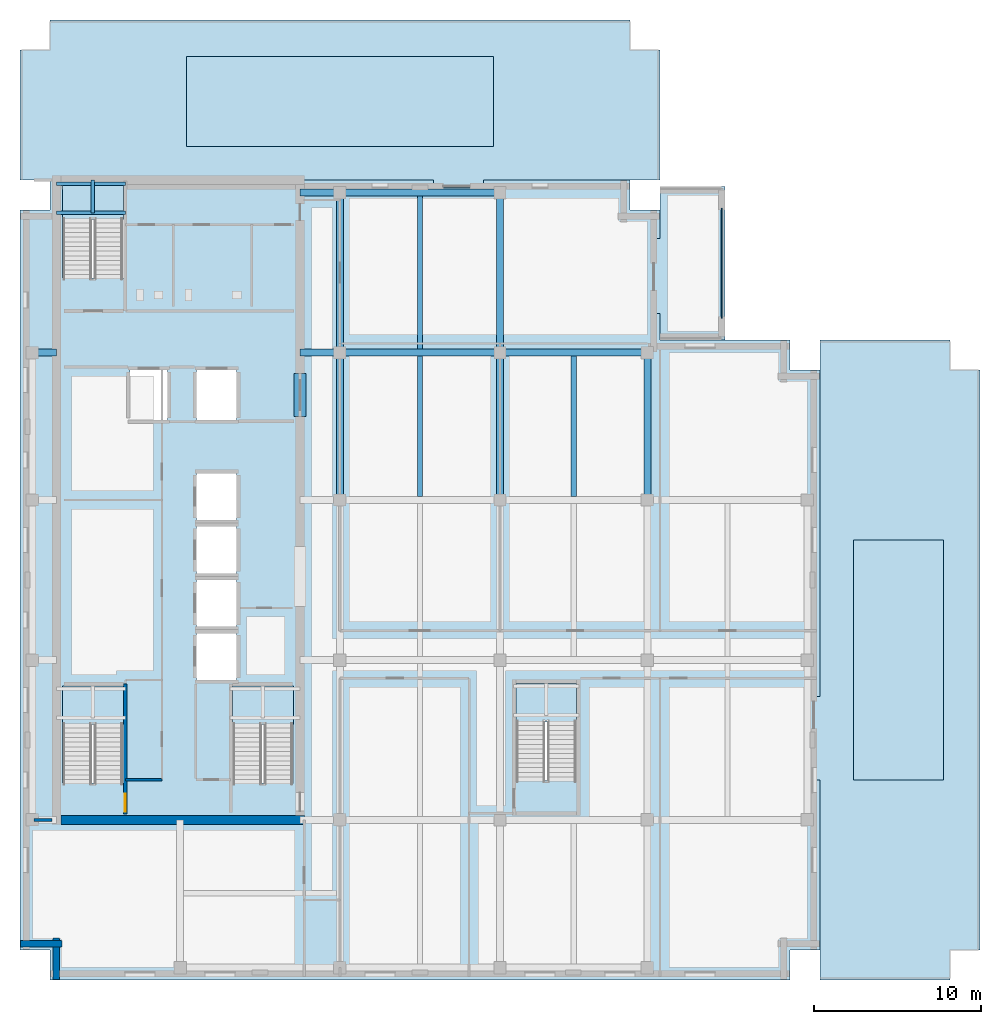
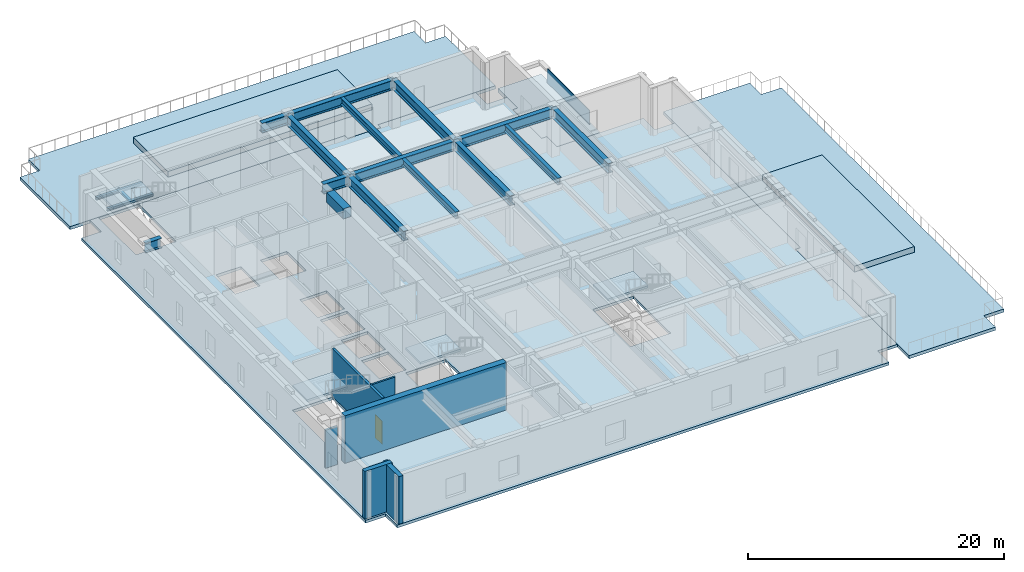
# One storey, part 2 of 11: 18 beams, 10 slabs, 6 walls, 1 door, 1 plate, 1 opening, 4 elements without a shape of their own.
"""IFC4 building model written with IfcOpenShell, lengths in metres."""

from ifc_helpers import new_model, si_unit, direction, frame, frame_2d, origin, origin_2d, place, context, subcontext, project, spatial, polyline, rectangle, i_section, outline, extrude, material, layer, layer_set, material_profile, profile_set, type_object, element, fill, aggregate, save


model = new_model("IFC4")

# Units and contexts
model_context = context("Model", 3, precision=1e-05, world=origin(), true_north=direction((0.0, 1.0)))
body_context = subcontext(model_context, "Body", "Model", "MODEL_VIEW")
ifc_project = project(units=[si_unit("LENGTHUNIT", "METRE"), si_unit("AREAUNIT", "SQUARE_METRE"), si_unit("VOLUMEUNIT", "CUBIC_METRE"), si_unit("PLANEANGLEUNIT", "RADIAN"), si_unit("MASSUNIT", "GRAM", prefix="KILO")], contexts=[model_context])

# Site, building, storey
site_placement = place(None, origin())
site = spatial("IfcSite", under=ifc_project, at=site_placement, CompositionType="ELEMENT")
building_placement = place(site_placement, origin())
building = spatial("IfcBuilding", under=site, at=building_placement, Name="Norrvale University Quadrangle", CompositionType="ELEMENT")
storey_placement = place(building_placement, frame((0.0, 0.0, 261.0)))
storey = spatial("IfcBuildingStorey", under=building, at=storey_placement, Name="L66", CompositionType="ELEMENT", Elevation=261.0)

# Beams
ifc_material_1 = material(Name="Steel 350W", Category="steel")
ifc_material_profile_1 = material_profile(ifc_material_1, i_section(OverallWidth=0.324951171875, OverallDepth=0.615966796875, WebThickness=0.013916015625, FlangeThickness=0.021484375, FilletRadius=0.01611328125, at=origin_2d()), Name="Steel 350W")
ifc_profile_set_1 = profile_set([ifc_material_profile_1], Name="Steel 350W")
beam_type_1 = type_object("IfcBeamType", Name="Beam Belt W610x174", PredefinedType="BEAM", material=ifc_profile_set_1)
beam_1_placement = place(storey_placement, frame((24.0, 29.009033203125, 4.23193359375), z_axis=(0.0, 1.0, 0.0), x_axis=(-1.0, 0.0, 0.0)))
element("IfcBeam", 1, at=beam_1_placement, inside=storey, type_object=beam_type_1, Name="Beam Belt W610x174 BM-L66-J047", PredefinedType="BEAM", context=body_context, shape_type="SweptSolid", body=[
    extrude(i_section(OverallWidth=0.324951171875, OverallDepth=0.615966796875, WebThickness=0.013916015625, FlangeThickness=0.021484375, FilletRadius=0.01611328125, at=origin_2d()), origin(), (0.0, 0.0, 1.0), 8.431884765625),
])
beam_2_placement = place(storey_placement, frame((24.0, 37.85888671875, 4.23193359375), z_axis=(0.0, 1.0, 0.0), x_axis=(-1.0, 0.0, 0.0)))
element("IfcBeam", 2, at=beam_2_placement, inside=storey, type_object=beam_type_1, Name="Beam Belt W610x174 BM-L66-J048", PredefinedType="BEAM", context=body_context, shape_type="SweptSolid", body=[
    extrude(i_section(OverallWidth=0.324951171875, OverallDepth=0.615966796875, WebThickness=0.013916015625, FlangeThickness=0.021484375, FilletRadius=0.01611328125, at=origin_2d()), origin(), (0.0, 0.0, 1.0), 9.18212890625),
])
beam_3_placement = place(storey_placement, frame((33.22509765625, 29.009033203125, 4.23193359375), z_axis=(0.0, 1.0, 0.0), x_axis=(-1.0, 0.0, 0.0)))
element("IfcBeam", 3, at=beam_3_placement, inside=storey, type_object=beam_type_1, Name="Beam Belt W610x174 BM-L66-J051", PredefinedType="BEAM", context=body_context, shape_type="SweptSolid", body=[
    extrude(i_section(OverallWidth=0.324951171875, OverallDepth=0.615966796875, WebThickness=0.013916015625, FlangeThickness=0.021484375, FilletRadius=0.01611328125, at=origin_2d()), origin(), (0.0, 0.0, 1.0), 8.431884765625),
])
ifc_material_2 = material(Name="Concrete C80/95", Category="concrete")
ifc_material_profile_2 = material_profile(ifc_material_2, rectangle(XDim=0.699951171875, YDim=0.949951171875, at=origin_2d()), Name="Concrete C80/95")
ifc_profile_set_2 = profile_set([ifc_material_profile_2], Name="Concrete C80/95")
beam_type_2 = type_object("IfcBeamType", Name="Beam Core Link 700x950", PredefinedType="LINTEL", material=ifc_profile_set_2)
beam_4_placement = place(storey_placement, frame((16.800048828125, 33.800048828125, 4.06494140625), z_axis=(0.0, 1.0, 0.0), x_axis=(-1.0, 0.0, 0.0)))
element("IfcBeam", 4, at=beam_4_placement, inside=storey, type_object=beam_type_2, Name="Core Coupling Lintel Beam L66-2", PredefinedType="LINTEL", context=body_context, shape_type="SweptSolid", body=[
    extrude(rectangle(XDim=0.699951171875, YDim=0.949951171875, at=origin_2d()), origin(), (0.0, 0.0, 1.0), 2.599853515625),
])
ifc_material_profile_3 = material_profile(ifc_material_1, i_section(OverallWidth=0.41796875, OverallDepth=0.912109375, WebThickness=0.019287109375, FlangeThickness=0.031982421875, FilletRadius=0.02392578125, at=origin_2d()), Name="Steel 350W")
ifc_profile_set_3 = profile_set([ifc_material_profile_3], Name="Steel 350W")
beam_type_3 = type_object("IfcBeamType", Name="Beam Pool Back W920x342", PredefinedType="BEAM", material=ifc_profile_set_3)
beam_5_placement = place(storey_placement, frame((19.199951171875, 37.64990234375, 4.083984375), z_axis=(1.0, 0.0, 0.0), x_axis=(0.0, 1.0, 0.0)))
element("IfcBeam", 5, at=beam_5_placement, inside=storey, type_object=beam_type_3, Name="Beam Pool Back W920x342 BM-L66-GX013", PredefinedType="BEAM", context=body_context, shape_type="SweptSolid", body=[
    extrude(i_section(OverallWidth=0.41796875, OverallDepth=0.912109375, WebThickness=0.019287109375, FlangeThickness=0.031982421875, FilletRadius=0.02392578125, at=origin_2d()), origin(), (0.0, 0.0, 1.0), 9.60009765625),
])
beam_6_placement = place(storey_placement, frame((28.800048828125, 37.64990234375, 4.083984375), z_axis=(1.0, 0.0, 0.0), x_axis=(0.0, 1.0, 0.0)))
element("IfcBeam", 6, at=beam_6_placement, inside=storey, type_object=beam_type_3, Name="Beam Pool Back W920x342 BM-L66-GX014", PredefinedType="BEAM", context=body_context, shape_type="SweptSolid", body=[
    extrude(i_section(OverallWidth=0.41796875, OverallDepth=0.912109375, WebThickness=0.019287109375, FlangeThickness=0.031982421875, FilletRadius=0.02392578125, at=origin_2d()), origin(), (0.0, 0.0, 1.0), 8.849853515625),
])
beam_7_placement = place(storey_placement, frame((19.199951171875, 47.25, 4.083984375), z_axis=(1.0, 0.0, 0.0), x_axis=(0.0, 1.0, 0.0)))
element("IfcBeam", 7, at=beam_7_placement, inside=storey, type_object=beam_type_3, Name="Beam Pool Back W920x342 BM-L66-GX015", PredefinedType="BEAM", context=body_context, shape_type="SweptSolid", body=[
    extrude(i_section(OverallWidth=0.41796875, OverallDepth=0.912109375, WebThickness=0.019287109375, FlangeThickness=0.031982421875, FilletRadius=0.02392578125, at=origin_2d()), origin(), (0.0, 0.0, 1.0), 9.60009765625),
])
beam_8_placement = place(storey_placement, frame((19.199951171875, 28.800048828125, 4.083984375), z_axis=(0.0, 1.0, 0.0), x_axis=(-1.0, 0.0, 0.0)))
element("IfcBeam", 8, at=beam_8_placement, inside=storey, type_object=beam_type_3, Name="Beam Pool Back W920x342 BM-L66-GY022", PredefinedType="BEAM", context=body_context, shape_type="SweptSolid", body=[
    extrude(i_section(OverallWidth=0.41796875, OverallDepth=0.912109375, WebThickness=0.019287109375, FlangeThickness=0.031982421875, FilletRadius=0.02392578125, at=origin_2d()), origin(), (0.0, 0.0, 1.0), 8.849853515625),
])
beam_9_placement = place(storey_placement, frame((19.199951171875, 37.64990234375, 4.083984375), z_axis=(0.0, 1.0, 0.0), x_axis=(-1.0, 0.0, 0.0)))
element("IfcBeam", 9, at=beam_9_placement, inside=storey, type_object=beam_type_3, Name="Beam Pool Back W920x342 BM-L66-GY023", PredefinedType="BEAM", context=body_context, shape_type="SweptSolid", body=[
    extrude(i_section(OverallWidth=0.41796875, OverallDepth=0.912109375, WebThickness=0.019287109375, FlangeThickness=0.031982421875, FilletRadius=0.02392578125, at=origin_2d()), origin(), (0.0, 0.0, 1.0), 9.60009765625),
])
beam_10_placement = place(storey_placement, frame((28.800048828125, 28.800048828125, 4.083984375), z_axis=(0.0, 1.0, 0.0), x_axis=(-1.0, 0.0, 0.0)))
element("IfcBeam", 10, at=beam_10_placement, inside=storey, type_object=beam_type_3, Name="Beam Pool Back W920x342 BM-L66-GY027", PredefinedType="BEAM", context=body_context, shape_type="SweptSolid", body=[
    extrude(i_section(OverallWidth=0.41796875, OverallDepth=0.912109375, WebThickness=0.019287109375, FlangeThickness=0.031982421875, FilletRadius=0.02392578125, at=origin_2d()), origin(), (0.0, 0.0, 1.0), 8.849853515625),
])
beam_11_placement = place(storey_placement, frame((28.800048828125, 37.64990234375, 4.083984375), z_axis=(0.0, 1.0, 0.0), x_axis=(-1.0, 0.0, 0.0)))
element("IfcBeam", 11, at=beam_11_placement, inside=storey, type_object=beam_type_3, Name="Beam Pool Back W920x342 BM-L66-GY028", PredefinedType="BEAM", context=body_context, shape_type="SweptSolid", body=[
    extrude(i_section(OverallWidth=0.41796875, OverallDepth=0.912109375, WebThickness=0.019287109375, FlangeThickness=0.031982421875, FilletRadius=0.02392578125, at=origin_2d()), origin(), (0.0, 0.0, 1.0), 9.60009765625),
])
beam_12_placement = place(storey_placement, frame((37.64990234375, 28.800048828125, 4.083984375), z_axis=(0.0, 1.0, 0.0), x_axis=(-1.0, 0.0, 0.0)))
element("IfcBeam", 12, at=beam_12_placement, inside=storey, type_object=beam_type_3, Name="Beam Pool Back W920x342 BM-L66-GY032", PredefinedType="BEAM", context=body_context, shape_type="SweptSolid", body=[
    extrude(i_section(OverallWidth=0.41796875, OverallDepth=0.912109375, WebThickness=0.019287109375, FlangeThickness=0.031982421875, FilletRadius=0.02392578125, at=origin_2d()), origin(), (0.0, 0.0, 1.0), 8.849853515625),
])
beam_13_placement = place(storey_placement, frame((0.75, 37.64990234375, 4.083984375), z_axis=(1.0, 0.0, 0.0), x_axis=(0.0, 1.0, 0.0)))
element("IfcBeam", 13, at=beam_13_placement, inside=storey, type_object=beam_type_3, Name="Beam Pool Back W920x342 BM-L66-GCW041", PredefinedType="BEAM", context=body_context, shape_type="SweptSolid", body=[
    extrude(i_section(OverallWidth=0.41796875, OverallDepth=0.912109375, WebThickness=0.019287109375, FlangeThickness=0.031982421875, FilletRadius=0.02392578125, at=origin_2d()), origin(), (0.0, 0.0, 1.0), 1.449951171875),
])
for number, where, z_axis, x_axis, name in (
    (14, (16.800048828125, 37.64990234375, 4.083984375), (1.0, 0.0, 0.0), (0.0, 1.0, 0.0), "Beam Pool Back W920x342 BM-L66-GCE042"),
    (15, (16.800048828125, 47.25, 4.083984375), (1.0, 0.0, 0.0), (0.0, 1.0, 0.0), "Beam Pool Back W920x342 BM-L66-GCE043"),
):
    element("IfcBeam", number, at=place(storey_placement, frame(where, z_axis=z_axis, x_axis=x_axis)), inside=storey, type_object=beam_type_3, Name=name, PredefinedType="BEAM", context=body_context, shape_type="SweptSolid", body=[
        extrude(i_section(OverallWidth=0.41796875, OverallDepth=0.912109375, WebThickness=0.019287109375, FlangeThickness=0.031982421875, FilletRadius=0.02392578125, at=origin_2d()), origin(), (0.0, 0.0, 1.0), 2.39990234375),
    ])
ifc_material_profile_4 = material_profile(ifc_material_1, i_section(OverallWidth=0.201904296875, OverallDepth=0.2470703125, WebThickness=0.00732421875, FlangeThickness=0.010986328125, FilletRadius=0.011962890625, at=origin_2d()), Name="Steel 350W")
ifc_profile_set_4 = profile_set([ifc_material_profile_4], Name="Steel 350W")
beam_type_4 = type_object("IfcBeamType", Name="Beam Stair W250x49", PredefinedType="BEAM", material=ifc_profile_set_4)
for number, where, z_axis, x_axis, name in (
    (16, (2.199951171875, 46.030029296875, 2.076416015625), (1.0, 0.0, 0.0), (0.0, 1.0, 0.0), "Stair Mid-Landing Front Beam ST-02 L66"),
    (17, (2.199951171875, 47.77001953125, 2.076416015625), (1.0, 0.0, 0.0), (0.0, 1.0, 0.0), "Stair Mid-Landing Rear Beam ST-02 L66"),
):
    element("IfcBeam", number, at=place(storey_placement, frame(where, z_axis=z_axis, x_axis=x_axis)), inside=storey, type_object=beam_type_4, Name=name, PredefinedType="BEAM", context=body_context, shape_type="SweptSolid", body=[
        extrude(i_section(OverallWidth=0.201904296875, OverallDepth=0.2470703125, WebThickness=0.00732421875, FlangeThickness=0.010986328125, FilletRadius=0.011962890625, at=origin_2d()), origin(), (0.0, 0.0, 1.0), 4.14013671875),
    ])
ifc_material_profile_5 = material_profile(ifc_material_1, i_section(OverallWidth=0.202880859375, OverallDepth=0.202880859375, WebThickness=0.007080078125, FlangeThickness=0.010986328125, FilletRadius=0.010009765625, at=origin_2d()), Name="Steel 350W")
ifc_profile_set_5 = profile_set([ifc_material_profile_5], Name="Steel 350W")
beam_type_5 = type_object("IfcBeamType", Name="Beam Trim W200x46", PredefinedType="BEAM", material=ifc_profile_set_5)
beam_14_placement = place(storey_placement, frame((4.375, 46.030029296875, 2.098388671875), z_axis=(0.0, 1.0, 0.0), x_axis=(-1.0, 0.0, 0.0)))
element("IfcBeam", 18, at=beam_14_placement, inside=storey, type_object=beam_type_5, Name="Stair Mid-Landing Cross Beam ST-02 L66", PredefinedType="BEAM", context=body_context, shape_type="SweptSolid", body=[
    extrude(i_section(OverallWidth=0.202880859375, OverallDepth=0.202880859375, WebThickness=0.007080078125, FlangeThickness=0.010986328125, FilletRadius=0.010009765625, at=origin_2d()), origin(), (0.0, 0.0, 1.0), 1.969970703125),
])

# Plate
ifc_material_3 = material(Name="Acrylic Glazing", Category="glass")
ifc_layer_1 = layer(ifc_material_3, 0.06005859375, Name="Acrylic Glazing")
ifc_layer_set_1 = layer_set([ifc_layer_1], Name="Acrylic Glazing")
plate_type = type_object("IfcPlateType", Name="Plate Pool Acrylic 60", PredefinedType="SHEET", material=ifc_layer_set_1)
plate_placement = place(storey_placement, frame((42.10009765625, 43.0, 0.044921875), z_axis=(0.0, 0.0, 1.0), x_axis=(0.0, 1.0, 0.0)))
element("IfcPlate", 19, at=plate_placement, inside=storey, type_object=plate_type, Name="Sky Pool Transparent Acrylic Viewing Wall", PredefinedType="SHEET", context=body_context, shape_type="SweptSolid", body=[
    extrude(rectangle(XDim=6.60009765625, YDim=0.06005859375, at=origin_2d()), origin(), (0.0, 0.0, 1.0), 1.35009765625),
])

# Stair, slab
ifc_material_4 = material(Name="Concrete C40/50", Category="concrete")
stair_type = type_object("IfcStairType", Name="Stair Tower Pool 4800", PredefinedType="TWO_STRAIGHT_RUN_STAIR", material=ifc_material_4)
stair_1_placement = place(storey_placement, origin())
stair_1 = element("IfcStair", 20, at=stair_1_placement, inside=storey, type_object=stair_type, Name="Exit Stair ST-01 L66", PredefinedType="TWO_STRAIGHT_RUN_STAIR")
ifc_layer_2 = layer(ifc_material_4, 0.199951171875, Name="Concrete C40/50")
ifc_layer_set_2 = layer_set([ifc_layer_2], Name="Concrete C40/50")
slab_type_1 = type_object("IfcSlabType", Name="Slab Landing 200", PredefinedType="LANDING", material=ifc_layer_set_2)
slab_1_placement = place(storey_placement, frame((0.0, 0.0, 2.199951171875)))
slab_1 = element("IfcSlab", 21, at=slab_1_placement, type_object=slab_type_1, Name="Exit Stair ST-01 L66 Mid Landing", PredefinedType="LANDING", context=body_context, shape_type="SweptSolid", body=[
    extrude(outline(polyline([(2.550048828125, 15.330078125), (6.199951171875, 15.330078125), (6.199951171875, 17.64990234375), (2.550048828125, 17.64990234375), (2.550048828125, 15.330078125)])), origin(), (0.0, 0.0, 1.0), 0.199951171875),
])
aggregate(stair_1, [slab_1])

stair_2_placement = place(storey_placement, origin())
stair_2 = element("IfcStair", 22, at=stair_2_placement, inside=storey, type_object=stair_type, Name="Exit Stair ST-02 L66", PredefinedType="TWO_STRAIGHT_RUN_STAIR")
slab_2_placement = place(storey_placement, frame((0.0, 0.0, 2.199951171875)))
slab_2 = element("IfcSlab", 23, at=slab_2_placement, type_object=slab_type_1, Name="Exit Stair ST-02 L66 Mid Landing", PredefinedType="LANDING", context=body_context, shape_type="SweptSolid", body=[
    extrude(outline(polyline([(2.550048828125, 45.6298828125), (6.199951171875, 45.6298828125), (6.199951171875, 47.949951171875), (2.550048828125, 47.949951171875), (2.550048828125, 45.6298828125)])), origin(), (0.0, 0.0, 1.0), 0.199951171875),
])
aggregate(stair_2, [slab_2])

stair_3_placement = place(storey_placement, origin())
stair_3 = element("IfcStair", 24, at=stair_3_placement, inside=storey, type_object=stair_type, Name="Exit Stair ST-03 L66", PredefinedType="TWO_STRAIGHT_RUN_STAIR")
slab_3_placement = place(storey_placement, frame((0.0, 0.0, 2.199951171875)))
slab_3 = element("IfcSlab", 25, at=slab_3_placement, type_object=slab_type_1, Name="Exit Stair ST-03 L66 Mid Landing", PredefinedType="LANDING", context=body_context, shape_type="SweptSolid", body=[
    extrude(outline(polyline([(12.75, 15.330078125), (16.39990234375, 15.330078125), (16.39990234375, 17.64990234375), (12.75, 17.64990234375), (12.75, 15.330078125)])), origin(), (0.0, 0.0, 1.0), 0.199951171875),
])
aggregate(stair_3, [slab_3])

stair_4_placement = place(storey_placement, origin())
stair_4 = element("IfcStair", 26, at=stair_4_placement, inside=storey, type_object=stair_type, Name="Exit Stair ST-04 L66", PredefinedType="TWO_STRAIGHT_RUN_STAIR")
slab_4_placement = place(storey_placement, frame((0.0, 0.0, 2.199951171875)))
slab_4 = element("IfcSlab", 27, at=slab_4_placement, type_object=slab_type_1, Name="Exit Stair ST-04 L66 Mid Landing", PredefinedType="LANDING", context=body_context, shape_type="SweptSolid", body=[
    extrude(outline(polyline([(29.75, 15.47998046875), (33.39990234375, 15.47998046875), (33.39990234375, 17.800048828125), (29.75, 17.800048828125), (29.75, 15.47998046875)])), origin(), (0.0, 0.0, 1.0), 0.199951171875),
])
aggregate(stair_4, [slab_4])

# Slabs
ifc_material_5 = material(Name="Planted Soil Growing Medium")
ifc_layer_3 = layer(ifc_material_5, 0.570068359375, Name="Planted Soil Growing Medium")
ifc_layer_set_3 = layer_set([ifc_layer_3], Name="Planted Soil Growing Medium")
slab_type_2 = type_object("IfcSlabType", Name="Slab Planter Soil 550", PredefinedType="USERDEFINED", material=ifc_layer_set_3)
slab_5_placement = place(storey_placement, frame((0.0, 0.0, -0.02001953125)))
element("IfcSlab", 28, at=slab_5_placement, inside=storey, type_object=slab_type_2, Name="Terrace Planted Soil Bed L66-E", ObjectType="PLANTER", PredefinedType="USERDEFINED", context=body_context, shape_type="SweptSolid", body=[
    extrude(outline(polyline([(50.0, 12.0), (55.39990234375, 12.0), (55.39990234375, 26.39990234375), (50.0, 26.39990234375), (50.0, 12.0)])), origin(), (0.0, 0.0, 1.0), 0.570068359375),
])
slab_6_placement = place(storey_placement, frame((0.0, 0.0, -0.02001953125)))
element("IfcSlab", 29, at=slab_6_placement, inside=storey, type_object=slab_type_2, Name="Terrace Planted Soil Bed L66-N", ObjectType="PLANTER", PredefinedType="USERDEFINED", context=body_context, shape_type="SweptSolid", body=[
    extrude(outline(polyline([(10.0, 50.0), (28.39990234375, 50.0), (28.39990234375, 55.39990234375), (10.0, 55.39990234375), (10.0, 50.0)])), origin(), (0.0, 0.0, 1.0), 0.570068359375),
])
ifc_material_6 = material(Name="Concrete C50/60", Category="concrete")
ifc_layer_4 = layer(ifc_material_6, 0.3798828125, Name="Concrete C50/60")
ifc_layer_set_4 = layer_set([ifc_layer_4], Name="Concrete C50/60")
slab_type_3 = type_object("IfcSlabType", Name="Slab Pool Deck 380", PredefinedType="FLOOR", material=ifc_layer_set_4)
slab_7_placement = place(storey_placement, frame((0.0, 0.0, -0.3798828125)))
element("IfcSlab", 30, at=slab_7_placement, inside=storey, type_object=slab_type_3, Name="Cantilevered L66 Aquatic Sky Pool Deck", PredefinedType="FLOOR", context=body_context, shape_type="SweptSolid", body=[
    extrude(outline(polyline([(38.39990234375, 38.39990234375), (42.300048828125, 38.39990234375), (42.300048828125, 47.60009765625), (38.39990234375, 47.60009765625), (38.39990234375, 44.5), (37.949951171875, 44.5), (37.949951171875, 40.0), (38.39990234375, 40.0), (38.39990234375, 38.39990234375)])), origin(), (0.0, 0.0, 1.0), 0.3798828125),
])
ifc_layer_5 = layer(ifc_material_6, 0.300048828125, Name="Concrete C50/60")
ifc_layer_set_5 = layer_set([ifc_layer_5], Name="Concrete C50/60")
slab_type_4 = type_object("IfcSlabType", Name="Slab Sky Garden 300", PredefinedType="ROOF", material=ifc_layer_set_5)
slab_8_placement = place(storey_placement, frame((0.0, 0.0, -0.300048828125)))
element("IfcSlab", 31, at=slab_8_placement, inside=storey, type_object=slab_type_4, Name="Stepped Roof Terrace Slab L66-E", PredefinedType="ROOF", context=body_context, shape_type="SweptSolid", body=[
    extrude(outline(polyline([(48.0, 1.800048828125), (48.0, 0.0), (55.800048828125, 0.0), (55.800048828125, 1.800048828125), (57.60009765625, 1.800048828125), (57.60009765625, 36.60009765625), (55.800048828125, 36.60009765625), (55.800048828125, 38.39990234375), (48.0, 38.39990234375), (48.0, 17.0), (47.550048828125, 17.0), (47.550048828125, 12.0), (48.0, 12.0), (48.0, 1.800048828125)])), origin(), (0.0, 0.0, 1.0), 0.300048828125),
])
slab_9_placement = place(storey_placement, frame((0.0, 0.0, -0.300048828125)))
element("IfcSlab", 32, at=slab_9_placement, inside=storey, type_object=slab_type_4, Name="Stepped Roof Terrace Slab L66-N", PredefinedType="ROOF", context=body_context, shape_type="SweptSolid", body=[
    extrude(outline(polyline([(0.0, 48.0), (24.800048828125, 48.0), (24.800048828125, 47.550048828125), (27.800048828125, 47.550048828125), (27.800048828125, 48.0), (38.39990234375, 48.0), (38.39990234375, 55.800048828125), (36.60009765625, 55.800048828125), (36.60009765625, 57.60009765625), (1.800048828125, 57.60009765625), (1.800048828125, 55.800048828125), (0.0, 55.800048828125), (0.0, 48.0)])), origin(), (0.0, 0.0, 1.0), 0.300048828125),
])
ifc_layer_6 = layer(ifc_material_4, 0.260009765625, Name="Concrete C40/50")
ifc_layer_set_6 = layer_set([ifc_layer_6], Name="Concrete C40/50")
slab_type_5 = type_object("IfcSlabType", Name="Slab Tower Typ 260", PredefinedType="FLOOR", material=ifc_layer_set_6)
slab_10_placement = place(storey_placement, frame((0.0, 0.0, -0.260009765625)))
element("IfcSlab", 33, at=slab_10_placement, inside=storey, type_object=slab_type_5, Name="Tower L66 Floor Slab", PredefinedType="FLOOR", context=body_context, shape_type="SweptSolid", body=[
    extrude(outline(polyline([(46.199951171875, 0.0), (1.800048828125, 0.0), (1.800048828125, 1.800048828125), (0.0, 1.800048828125), (0.0, 46.199951171875), (1.800048828125, 46.199951171875), (1.800048828125, 48.0), (24.800048828125, 48.0), (24.800048828125, 47.550048828125), (27.800048828125, 47.550048828125), (27.800048828125, 48.0), (36.60009765625, 48.0), (36.60009765625, 46.199951171875), (38.39990234375, 46.199951171875), (38.39990234375, 44.5), (37.949951171875, 44.5), (37.949951171875, 40.0), (38.39990234375, 40.0), (38.39990234375, 38.39990234375), (46.199951171875, 38.39990234375), (46.199951171875, 36.60009765625), (48.0, 36.60009765625), (48.0, 17.0), (47.550048828125, 17.0), (47.550048828125, 12.0), (48.0, 12.0), (48.0, 1.800048828125), (46.199951171875, 1.800048828125), (46.199951171875, 0.0)]), holes=[polyline([(2.550048828125, 11.81005859375), (6.199951171875, 11.81005859375), (6.199951171875, 17.64990234375), (2.550048828125, 17.64990234375), (2.550048828125, 11.81005859375)]), polyline([(2.550048828125, 42.110107421875), (6.199951171875, 42.110107421875), (6.199951171875, 47.949951171875), (2.550048828125, 47.949951171875), (2.550048828125, 42.110107421875)]), polyline([(12.75, 11.81005859375), (16.39990234375, 11.81005859375), (16.39990234375, 17.64990234375), (12.75, 17.64990234375), (12.75, 11.81005859375)]), polyline([(29.75, 11.9599609375), (33.39990234375, 11.9599609375), (33.39990234375, 17.800048828125), (29.75, 17.800048828125), (29.75, 11.9599609375)]), polyline([(10.60009765625, 18.0), (13.0, 18.0), (13.0, 20.800048828125), (10.60009765625, 20.800048828125), (10.60009765625, 18.0)]), polyline([(10.60009765625, 21.199951171875), (13.0, 21.199951171875), (13.0, 24.0), (10.60009765625, 24.0), (10.60009765625, 21.199951171875)]), polyline([(10.60009765625, 24.39990234375), (13.0, 24.39990234375), (13.0, 27.199951171875), (10.60009765625, 27.199951171875), (10.60009765625, 24.39990234375)]), polyline([(10.60009765625, 27.60009765625), (13.0, 27.60009765625), (13.0, 30.39990234375), (10.60009765625, 30.39990234375), (10.60009765625, 27.60009765625)]), polyline([(6.60009765625, 33.60009765625), (8.85009765625, 33.60009765625), (8.85009765625, 36.60009765625), (6.60009765625, 36.60009765625), (6.60009765625, 33.60009765625)]), polyline([(10.60009765625, 33.60009765625), (13.0, 33.60009765625), (13.0, 36.60009765625), (10.60009765625, 36.60009765625), (10.60009765625, 33.60009765625)])]), origin(), (0.0, 0.0, 1.0), 0.260009765625),
])

# Walls
ifc_material_7 = material(Name="Concrete C60/75", Category="concrete")
ifc_layer_7 = layer(ifc_material_7, 0.550048828125, Name="Concrete C60/75")
ifc_layer_set_7 = layer_set([ifc_layer_7], Name="Concrete C60/75")
wall_type_1 = type_object("IfcWallType", Name="Wall Core 550", PredefinedType="SHEAR", material=ifc_layer_set_7)
wall_1_placement = place(storey_placement, frame((2.47509765625, 9.60009765625, 0.0), z_axis=(0.0, 0.0, 1.0), x_axis=(1.0, 0.0, 0.0)))
element("IfcWall", 34, at=wall_1_placement, inside=storey, type_object=wall_type_1, Name="Tower Core Shear Wall L66-S", PredefinedType="SHEAR", context=body_context, shape_type="SweptSolid", body=[
    extrude(rectangle(XDim=14.599853515625, YDim=0.550048828125, at=frame_2d((7.2998046875, 0.0))), origin(), (0.0, 0.0, 1.0), 4.5400390625),
])
ifc_material_8 = material(Name="Fire-Rated Gypsum Stud Partition")
ifc_layer_8 = layer(ifc_material_8, 0.14990234375, Name="Fire-Rated Gypsum Stud Partition")
ifc_layer_set_8 = layer_set([ifc_layer_8], Name="Fire-Rated Gypsum Stud Partition")
wall_type_2 = type_object("IfcWallType", Name="Wall Gypsum Corridor 150", PredefinedType="PARTITIONING", material=ifc_layer_set_8)
wall_2_placement = place(storey_placement, frame((6.320068359375, 12.02001953125, 0.0), z_axis=(0.0, 0.0, 1.0), x_axis=(1.0, 0.0, 0.0)))
element("IfcWall", 35, at=wall_2_placement, inside=storey, type_object=wall_type_2, Name="Interior Partition WL-L66-REC-S", PredefinedType="PARTITIONING", context=body_context, shape_type="SweptSolid", body=[
    extrude(rectangle(XDim=2.199951171875, YDim=0.14990234375, at=frame_2d((1.10009765625, 0.0))), origin(), (0.0, 0.0, 1.0), 4.5400390625),
])
ifc_material_9 = material(Name="Concrete Blockwork 20 MPa Rated Wall", Category="masonry")
ifc_layer_9 = layer(ifc_material_9, 0.199951171875, Name="Concrete Blockwork 20 MPa Rated Wall")
ifc_layer_set_9 = layer_set([ifc_layer_9], Name="Concrete Blockwork 20 MPa Rated Wall")
wall_type_3 = type_object("IfcWallType", Name="Wall Lobby 200", PredefinedType="SOLIDWALL", material=ifc_layer_set_9)
wall_3_placement = place(storey_placement, frame((0.85009765625, 9.60009765625, 0.0), z_axis=(0.0, 0.0, 1.0), x_axis=(1.0, 0.0, 0.0)))
element("IfcWall", 36, at=wall_3_placement, inside=storey, type_object=wall_type_3, Name="Interior Partition WL-L66-CWRET-S", PredefinedType="SOLIDWALL", context=body_context, shape_type="SweptSolid", body=[
    extrude(rectangle(XDim=1.06982421875, YDim=0.199951171875, at=frame_2d((0.534912109375, 0.0))), origin(), (0.0, 0.0, 1.0), 3.6279296875),
])
ifc_material_10 = material(Name="Red Manganese Brick Masonry", Category="masonry")
ifc_layer_10 = layer(ifc_material_10, 0.39990234375, Name="Red Manganese Brick Masonry")
ifc_layer_set_10 = layer_set([ifc_layer_10], Name="Red Manganese Brick Masonry")
wall_type_4 = type_object("IfcWallType", Name="Wall Red Brick 400", PredefinedType="SOLIDWALL", material=ifc_layer_set_10)
for number, where, z_axis, x_axis, name in (
    (37, (0.0400390625, 2.179931640625, 0.0), (0.0, 0.0, 1.0), (1.0, 0.0, 0.0), "Exterior Brick Facade Wall L66-15.1"),
    (38, (2.179931640625, 2.52001953125, 0.0), (0.0, 0.0, 1.0), (0.0, -1.0, 0.0), "Exterior Brick Facade Wall L66-16.1"),
):
    element("IfcWall", number, at=place(storey_placement, frame(where, z_axis=z_axis, x_axis=x_axis)), inside=storey, type_object=wall_type_4, Name=name, PredefinedType="SOLIDWALL", context=body_context, shape_type="SweptSolid", body=[
        extrude(rectangle(XDim=2.47998046875, YDim=0.39990234375, at=frame_2d((1.239990234375, 0.0))), origin(), (0.0, 0.0, 1.0), 4.5400390625),
    ])

# Wall, opening, door
ifc_material_11 = material(Name="Concrete Blockwork 20 MPa Fire Shaft", Category="masonry")
ifc_layer_11 = layer(ifc_material_11, 0.219970703125, Name="Concrete Blockwork 20 MPa Fire Shaft")
ifc_layer_set_11 = layer_set([ifc_layer_11], Name="Concrete Blockwork 20 MPa Fire Shaft")
wall_type_5 = type_object("IfcWallType", Name="Wall Shaft 220", PredefinedType="SOLIDWALL", material=ifc_layer_set_11)
wall_4_placement = place(storey_placement, frame((6.31005859375, 9.949951171875, 0.0), z_axis=(0.0, 0.0, 1.0), x_axis=(0.0, 1.0, 0.0)))
wall_4 = element("IfcWall", 39, at=wall_4_placement, inside=storey, type_object=wall_type_5, Name="Stair ST-01 East Shaft Wall L66", PredefinedType="SOLIDWALL", context=body_context, shape_type="SweptSolid", body=[
    extrude(rectangle(XDim=7.81005859375, YDim=0.219970703125, at=frame_2d((3.905029296875, 0.0))), origin(), (0.0, 0.0, 1.0), 4.5400390625),
])
opening_placement = place(wall_4_placement, frame((0.139892578125, 0.0, 0.0)))
opening = element("IfcOpeningElement", 40, at=opening_placement, cuts=wall_4, Name="Opening D02", PredefinedType="OPENING", context=body_context, shape_type="SweptSolid", body=[
    extrude(rectangle(XDim=1.10009765625, YDim=2.199951171875, at=frame_2d((0.550048828125, 1.10009765625))), frame((0.0, 0.1220703125, 0.0), z_axis=(0.0, -1.0, 0.0), x_axis=(1.0, 0.0, 0.0)), (0.0, 0.0, 1.0), 0.243896484375),
])
ifc_material_12 = material(Name="Hollow Steel 350W Fire Door", Category="steel")
door_type = type_object("IfcDoorType", Name="Door Stair Exit 1100x2200", OperationType="NOTDEFINED", PredefinedType="DOOR", material=ifc_material_12)
door_placement = place(opening_placement, origin())
door = element("IfcDoor", 41, at=door_placement, inside=storey, type_object=door_type, Name="Door Stair Exit 1100x2200 DR-L66-ST01", OperationType="SINGLE_SWING_LEFT", OverallHeight=2.199951171875, OverallWidth=1.10009765625, PredefinedType="DOOR", context=body_context, shape_type="SweptSolid", body=[
    extrude(rectangle(XDim=1.10009765625, YDim=2.199951171875, at=frame_2d((0.550048828125, 1.10009765625))), frame((0.0, 0.02490234375, 0.0), z_axis=(0.0, -1.0, 0.0), x_axis=(1.0, 0.0, 0.0)), (0.0, 0.0, 1.0), 0.050048828125),
])
fill(opening, door)

save(model, "model.ifc")
